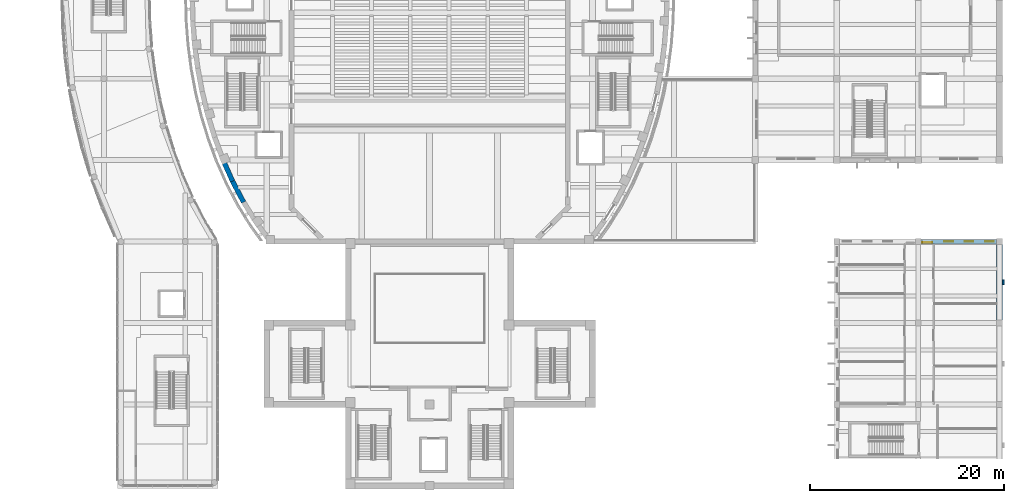
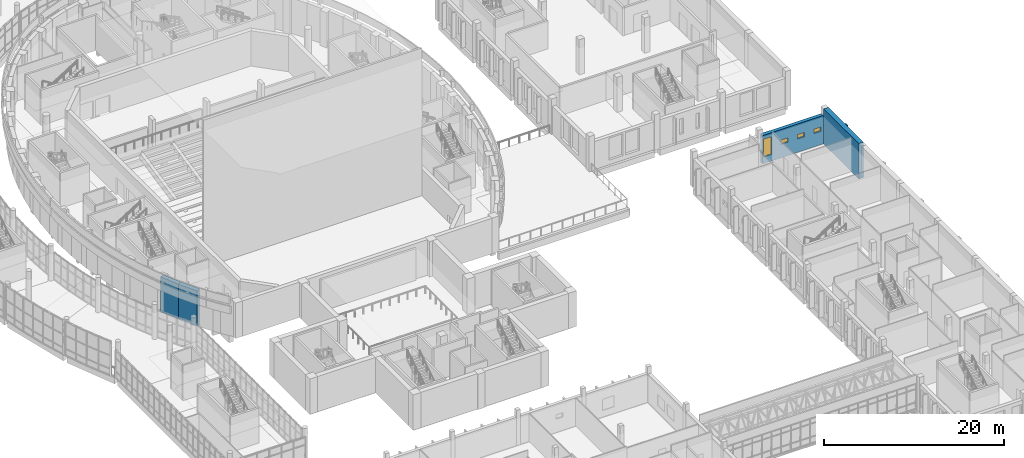
# One storey, part 65 of 119: 5 walls, 4 windows, 4 openings.
"""IFC4 building model written with IfcOpenShell, lengths in metres."""

from ifc_helpers import new_model, si_unit, direction, frame, frame_2d, origin, place, context, subcontext, project, spatial, rectangle, extrude, material, layer, layer_set, type_object, element, fill, save


model = new_model("IFC4")

# Units and contexts
model_context = context("Model", 3, precision=1e-05, world=origin(), true_north=direction((0.0, 1.0)))
body_context = subcontext(model_context, "Body", "Model", "MODEL_VIEW")
ifc_project = project(units=[si_unit("LENGTHUNIT", "METRE"), si_unit("AREAUNIT", "SQUARE_METRE"), si_unit("VOLUMEUNIT", "CUBIC_METRE"), si_unit("PLANEANGLEUNIT", "RADIAN"), si_unit("MASSUNIT", "GRAM", prefix="KILO")], contexts=[model_context])

# Site, building, storey
site_placement = place(None, origin())
site = spatial("IfcSite", under=ifc_project, at=site_placement, CompositionType="ELEMENT")
building_placement = place(site_placement, origin())
building = spatial("IfcBuilding", under=site, at=building_placement, Name="Larchfold Concert Hall", CompositionType="ELEMENT")
storey_placement = place(building_placement, frame((0.0, 0.0, 4.800048828125)))
storey = spatial("IfcBuildingStorey", under=building, at=storey_placement, Name="L01", CompositionType="ELEMENT", Elevation=4.800048828125)

# Walls
ifc_material_1 = material(Name="Concrete C30/37", Category="concrete")
ifc_layer_1 = layer(ifc_material_1, 0.5)
ifc_layer_set_1 = layer_set([ifc_layer_1], Name="Concrete C30/37")
wall_type_1 = type_object("IfcWallType", Name="Wall RC 500 drum facade", PredefinedType="SOLIDWALL", material=ifc_layer_set_1)
wall_1_placement = place(storey_placement, frame((21.27587890625, 67.85888671875, 0.0), z_axis=(0.0, 0.0, 1.0), x_axis=(0.406767391574, -0.913531766909, 0.0)))
element("IfcWall", 1, at=wall_1_placement, inside=storey, type_object=wall_type_1, Name="Wall DW046", PredefinedType="SOLIDWALL", context=body_context, shape_type="SweptSolid", body=[
    extrude(rectangle(XDim=2.44873046875, YDim=0.5, at=frame_2d((1.224365234375, 0.0))), origin(), (0.0, 0.0, 1.0), 4.800048828125),
])
wall_2_placement = place(storey_placement, frame((22.27197265625, 65.621826171875, 0.0), z_axis=(0.0, 0.0, 1.0), x_axis=(0.466448872517, -0.884548161112, 0.0)))
element("IfcWall", 2, at=wall_2_placement, inside=storey, type_object=wall_type_1, Name="Wall DW047", PredefinedType="SOLIDWALL", context=body_context, shape_type="SweptSolid", body=[
    extrude(rectangle(XDim=2.448974609375, YDim=0.5, at=frame_2d((1.224609375, 0.0))), origin(), (0.0, 0.0, 1.0), 4.800048828125),
])
ifc_material_2 = material(Name="Concrete C40/50", Category="concrete")
ifc_layer_2 = layer(ifc_material_2, 0.60009765625)
ifc_layer_set_2 = layer_set([ifc_layer_2], Name="Concrete C40/50")
wall_type_2 = type_object("IfcWallType", Name="Wall RC 600 party wall", PredefinedType="SOLIDWALL", material=ifc_layer_set_2)
wall_3_placement = place(storey_placement, frame((101.39990234375, 51.300048828125, 0.0), z_axis=(0.0, 0.0, 1.0), x_axis=(0.0, 1.0, 0.0)))
element("IfcWall", 3, at=wall_3_placement, inside=storey, type_object=wall_type_2, Name="Wall W0026", PredefinedType="SOLIDWALL", context=body_context, shape_type="SweptSolid", body=[
    extrude(rectangle(XDim=7.800048828125, YDim=0.60009765625, at=frame_2d((3.89990234375, 0.0))), origin(), (0.0, 0.0, 1.0), 4.800048828125),
])

# Wall, openings, windows
ifc_material_3 = material(Name="White render on mineral wool and block")
ifc_layer_3 = layer(ifc_material_3, 0.449951171875)
ifc_layer_set_3 = layer_set([ifc_layer_3], Name="White render on mineral wool and block")
wall_type_3 = type_object("IfcWallType", Name="White render infill wall 450", PredefinedType="SOLIDWALL", material=ifc_layer_set_3)
wall_4_placement = place(storey_placement, frame((101.099853515625, 59.39990234375, 0.0), z_axis=(0.0, 0.0, 1.0), x_axis=(-1.0, 0.0, 0.0)))
wall_4 = element("IfcWall", 4, at=wall_4_placement, inside=storey, type_object=wall_type_3, Name="Infill wall W5134", PredefinedType="SOLIDWALL", context=body_context, shape_type="SweptSolid", body=[
    extrude(rectangle(XDim=7.7998046875, YDim=0.449951171875, at=frame_2d((3.89990234375, 0.0))), origin(), (0.0, 0.0, 1.0), 3.840087890625),
])
opening_1_placement = place(wall_4_placement, frame((6.671142578125, 0.0, 0.89990234375)))
opening_1 = element("IfcOpeningElement", 5, at=opening_1_placement, cuts=wall_4, Name="Opening WN-L01-057", PredefinedType="OPENING", context=body_context, shape_type="SweptSolid", body=[
    extrude(rectangle(XDim=1.0, YDim=2.39990234375, at=frame_2d((0.5, 1.199951171875))), frame((0.0, 0.23486328125, 0.0), z_axis=(0.0, -1.0, 0.0), x_axis=(1.0, 0.0, 0.0)), (0.0, 0.0, 1.0), 0.469970703125),
])
opening_2_placement = place(wall_4_placement, frame((4.499755859375, 0.0, 1.800048828125)))
opening_2 = element("IfcOpeningElement", 6, at=opening_2_placement, cuts=wall_4, Name="Opening WN-L01-058", PredefinedType="OPENING", context=body_context, shape_type="SweptSolid", body=[
    extrude(rectangle(XDim=0.89990234375, YDim=0.60009765625, at=frame_2d((0.449951171875, 0.300048828125))), frame((0.0, 0.23486328125, 0.0), z_axis=(0.0, -1.0, 0.0), x_axis=(1.0, 0.0, 0.0)), (0.0, 0.0, 1.0), 0.469970703125),
])
opening_3_placement = place(wall_4_placement, frame((2.39990234375, 0.0, 1.800048828125)))
opening_3 = element("IfcOpeningElement", 7, at=opening_3_placement, cuts=wall_4, Name="Opening WN-L01-059", PredefinedType="OPENING", context=body_context, shape_type="SweptSolid", body=[
    extrude(rectangle(XDim=0.89990234375, YDim=0.60009765625, at=frame_2d((0.449951171875, 0.300048828125))), frame((0.0, 0.23486328125, 0.0), z_axis=(0.0, -1.0, 0.0), x_axis=(1.0, 0.0, 0.0)), (0.0, 0.0, 1.0), 0.469970703125),
])
opening_4_placement = place(wall_4_placement, frame((0.2998046875, 0.0, 1.800048828125)))
opening_4 = element("IfcOpeningElement", 8, at=opening_4_placement, cuts=wall_4, Name="Opening WN-L01-060", PredefinedType="OPENING", context=body_context, shape_type="SweptSolid", body=[
    extrude(rectangle(XDim=0.89990234375, YDim=0.60009765625, at=frame_2d((0.449951171875, 0.300048828125))), frame((0.0, 0.23486328125, 0.0), z_axis=(0.0, -1.0, 0.0), x_axis=(1.0, 0.0, 0.0)), (0.0, 0.0, 1.0), 0.469970703125),
])
ifc_material_4 = material(Name="Anodised graphite aluminium frame with glass", Category="aluminium")
window_type_1 = type_object("IfcWindowType", Name="Slot window 1000x2400", PartitioningType="SINGLE_PANEL", PredefinedType="WINDOW", material=ifc_material_4)
window_1_placement = place(opening_1_placement, origin())
window_1 = element("IfcWindow", 9, at=window_1_placement, inside=storey, type_object=window_type_1, Name="Window WN-L01-057", OverallHeight=2.39990234375, OverallWidth=1.0, PartitioningType="SINGLE_PANEL", PredefinedType="WINDOW", context=body_context, shape_type="SweptSolid", body=[
    extrude(rectangle(XDim=1.0, YDim=2.39990234375, at=frame_2d((0.5, 1.199951171875))), frame((0.0, 0.135009765625, 0.0), z_axis=(0.0, -1.0, 0.0), x_axis=(1.0, 0.0, 0.0)), (0.0, 0.0, 1.0), 0.06005859375),
])
fill(opening_1, window_1)
ifc_material_5 = material(Name="Anodised graphite aluminium frame with obscured glass", Category="aluminium")
window_type_2 = type_object("IfcWindowType", Name="Toilet high window 900x600", PartitioningType="SINGLE_PANEL", PredefinedType="WINDOW", material=ifc_material_5)
window_2_placement = place(opening_2_placement, origin())
window_2 = element("IfcWindow", 10, at=window_2_placement, inside=storey, type_object=window_type_2, Name="Window WN-L01-058", OverallHeight=0.60009765625, OverallWidth=0.89990234375, PartitioningType="SINGLE_PANEL", PredefinedType="WINDOW", context=body_context, shape_type="SweptSolid", body=[
    extrude(rectangle(XDim=0.89990234375, YDim=0.60009765625, at=frame_2d((0.449951171875, 0.300048828125))), frame((0.0, 0.034912109375, 0.0), z_axis=(0.0, -1.0, 0.0), x_axis=(1.0, 0.0, 0.0)), (0.0, 0.0, 1.0), 0.06005859375),
])
fill(opening_2, window_2)
window_3_placement = place(opening_3_placement, origin())
window_3 = element("IfcWindow", 11, at=window_3_placement, inside=storey, type_object=window_type_2, Name="Window WN-L01-059", OverallHeight=0.60009765625, OverallWidth=0.89990234375, PartitioningType="SINGLE_PANEL", PredefinedType="WINDOW", context=body_context, shape_type="SweptSolid", body=[
    extrude(rectangle(XDim=0.89990234375, YDim=0.60009765625, at=frame_2d((0.449951171875, 0.300048828125))), frame((0.0, 0.034912109375, 0.0), z_axis=(0.0, -1.0, 0.0), x_axis=(1.0, 0.0, 0.0)), (0.0, 0.0, 1.0), 0.06005859375),
])
fill(opening_3, window_3)
window_4_placement = place(opening_4_placement, origin())
window_4 = element("IfcWindow", 12, at=window_4_placement, inside=storey, type_object=window_type_2, Name="Window WN-L01-060", OverallHeight=0.60009765625, OverallWidth=0.89990234375, PartitioningType="SINGLE_PANEL", PredefinedType="WINDOW", context=body_context, shape_type="SweptSolid", body=[
    extrude(rectangle(XDim=0.89990234375, YDim=0.60009765625, at=frame_2d((0.449951171875, 0.300048828125))), frame((0.0, 0.034912109375, 0.0), z_axis=(0.0, -1.0, 0.0), x_axis=(1.0, 0.0, 0.0)), (0.0, 0.0, 1.0), 0.06005859375),
])
fill(opening_4, window_4)

# Wall
ifc_material_6 = material(Name="White render on insulated block")
ifc_layer_4 = layer(ifc_material_6, 0.14990234375)
ifc_layer_set_4 = layer_set([ifc_layer_4], Name="White render on insulated block")
wall_type_4 = type_object("IfcWallType", Name="White render pilaster 150", PredefinedType="SOLIDWALL", material=ifc_layer_set_4)
wall_5_placement = place(storey_placement, frame((101.77490234375, 54.949951171875, 0.0), z_axis=(0.0, 0.0, 1.0), x_axis=(0.0, 1.0, 0.0)))
element("IfcWall", 13, at=wall_5_placement, inside=storey, type_object=wall_type_4, Name="Pilaster W5351", PredefinedType="SOLIDWALL", context=body_context, shape_type="SweptSolid", body=[
    extrude(rectangle(XDim=0.5, YDim=0.14990234375, at=frame_2d((0.25, 0.0))), origin(), (0.0, 0.0, 1.0), 4.800048828125),
])

save(model, "model.ifc")
